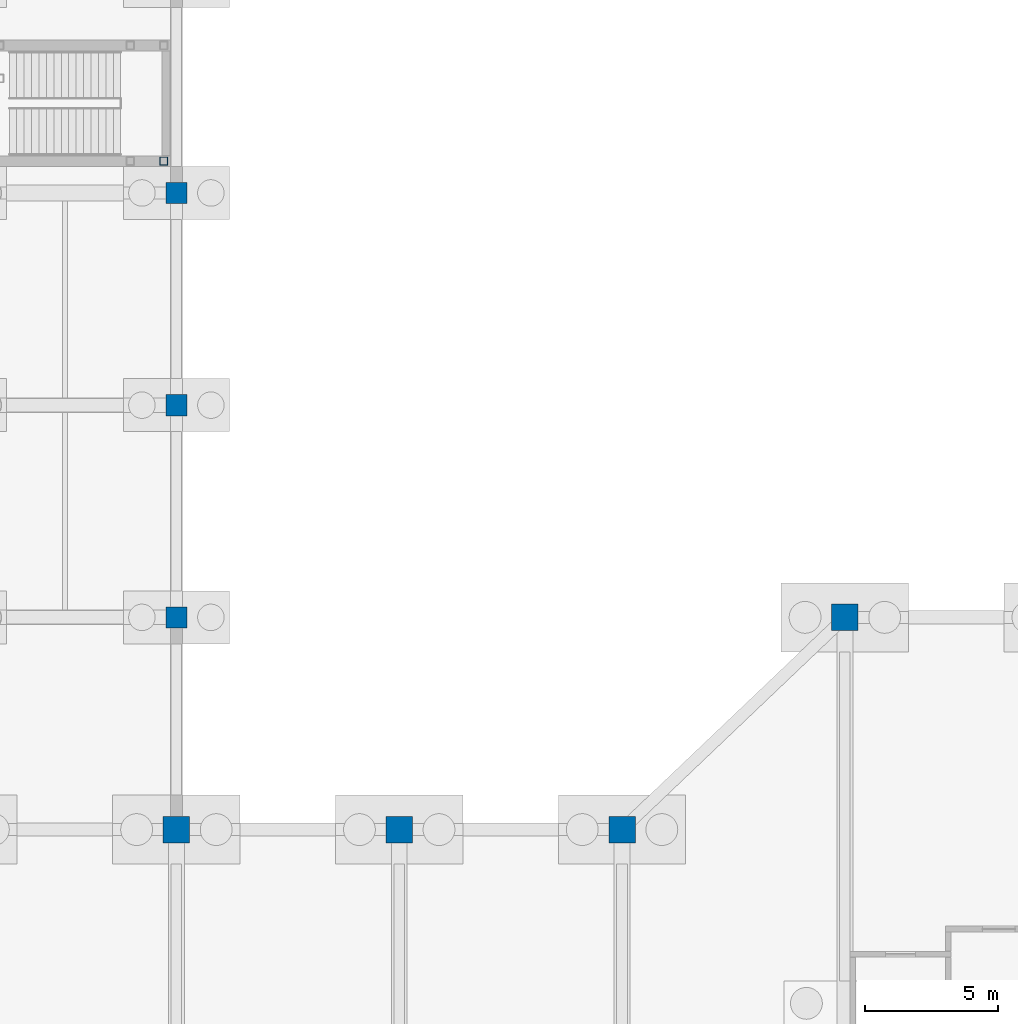
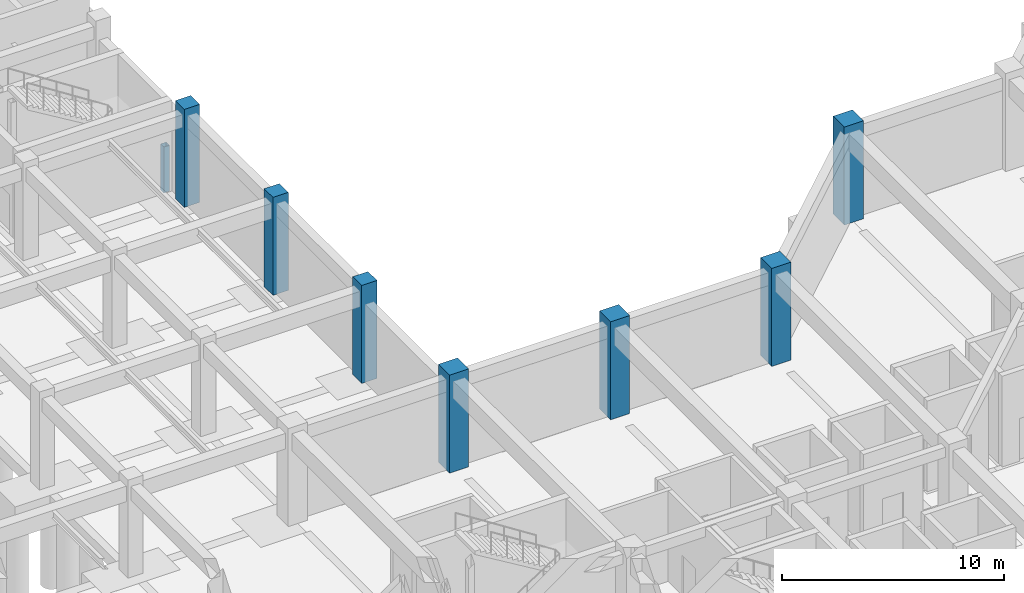
# One storey, part 27 of 56: 8 columns.
"""IFC4 building model written with IfcOpenShell, lengths in metres."""

from ifc_helpers import new_model, si_unit, direction, frame, origin, origin_2d, place, context, subcontext, project, spatial, rectangle, hollow_rectangle, extrude, material, material_profile, profile_set, type_object, element, save


model = new_model("IFC4")

# Units and contexts
model_context = context("Model", 3, precision=1e-05, world=origin(), true_north=direction((0.0, 1.0)))
body_context = subcontext(model_context, "Body", "Model", "MODEL_VIEW")
ifc_project = project(units=[si_unit("LENGTHUNIT", "METRE"), si_unit("AREAUNIT", "SQUARE_METRE"), si_unit("VOLUMEUNIT", "CUBIC_METRE"), si_unit("PLANEANGLEUNIT", "RADIAN"), si_unit("MASSUNIT", "GRAM", prefix="KILO")], contexts=[model_context])

# Site, building, storey
site_placement = place(None, origin())
site = spatial("IfcSite", under=ifc_project, at=site_placement, CompositionType="ELEMENT")
building_placement = place(site_placement, origin())
building = spatial("IfcBuilding", under=site, at=building_placement, Name="Naruveol Harbour Congress Hotel", CompositionType="ELEMENT")
storey_placement = place(building_placement, frame((0.0, 0.0, -5.39990234375)))
storey = spatial("IfcBuildingStorey", under=building, at=storey_placement, Name="B01", CompositionType="ELEMENT", Elevation=-5.39990234375)

# Columns
ifc_material_1 = material(Name="Concrete C50/60", Category="concrete")
ifc_material_profile_1 = material_profile(ifc_material_1, rectangle(XDim=0.800048828125, YDim=0.800048828125, at=origin_2d()), Name="RC-800x800")
ifc_profile_set_1 = profile_set([ifc_material_profile_1], Name="Concrete C50/60")
column_type_1 = type_object("IfcColumnType", Name="RC PODIUM COLUMN 800X800", PredefinedType="COLUMN", material=ifc_profile_set_1)
for number, where, z_axis, x_axis, name in (
    (1, (126.0, 40.0, 0.0), (0.0, 0.0, 1.0), (1.0, 0.0, 0.0), "Column C-800 B01 (126.0,40.0)"),
    (2, (126.0, 48.0, 0.0), (0.0, 0.0, 1.0), (1.0, 0.0, 0.0), "Column C-800 B01 (126.0,48.0)"),
    (3, (126.0, 56.0, 0.0), (0.0, 0.0, 1.0), (1.0, 0.0, 0.0), "Column C-800 B01 (126.0,56.0)"),
):
    element("IfcColumn", number, at=place(storey_placement, frame(where, z_axis=z_axis, x_axis=x_axis)), inside=storey, type_object=column_type_1, Name=name, PredefinedType="COLUMN", context=body_context, shape_type="SweptSolid", body=[
        extrude(rectangle(XDim=0.800048828125, YDim=0.800048828125, at=origin_2d()), origin(), (0.0, 0.0, 1.0), 5.39990234375),
    ])
ifc_material_2 = material(Name="Concrete C50/60", Category="concrete")
ifc_material_profile_2 = material_profile(ifc_material_2, rectangle(XDim=1.0, YDim=1.0, at=origin_2d()), Name="RC-1000x1000")
ifc_profile_set_2 = profile_set([ifc_material_profile_2], Name="Concrete C50/60")
column_type_2 = type_object("IfcColumnType", Name="RC PRIMARY COLUMN 1000X1000", PredefinedType="COLUMN", material=ifc_profile_set_2)
for number, where, z_axis, x_axis, name in (
    (4, (126.0, 32.0, 0.0), (0.0, 0.0, 1.0), (1.0, 0.0, 0.0), "Column C-1000 B01 (126.0,32.0)"),
    (5, (134.39990234375, 32.0, 0.0), (0.0, 0.0, 1.0), (1.0, 0.0, 0.0), "Column C-1000 B01 (134.4,32.0)"),
    (6, (142.800048828125, 32.0, 0.0), (0.0, 0.0, 1.0), (1.0, 0.0, 0.0), "Column C-1000 B01 (142.8,32.0)"),
    (7, (151.199951171875, 40.0, 0.0), (0.0, 0.0, 1.0), (1.0, 0.0, 0.0), "Column C-1000 B01 (151.2,40.0)"),
):
    element("IfcColumn", number, at=place(storey_placement, frame(where, z_axis=z_axis, x_axis=x_axis)), inside=storey, type_object=column_type_2, Name=name, PredefinedType="COLUMN", context=body_context, shape_type="SweptSolid", body=[
        extrude(rectangle(XDim=1.0, YDim=1.0, at=origin_2d()), origin(), (0.0, 0.0, 1.0), 5.39990234375),
    ])
ifc_material_3 = material(Name="Steel SN490", Category="steel")
ifc_material_profile_3 = material_profile(ifc_material_3, hollow_rectangle(XDim=0.300048828125, YDim=0.300048828125, WallThickness=0.011962890625, at=origin_2d()), Name="SHS-300x300x12")
ifc_profile_set_3 = profile_set([ifc_material_profile_3], Name="Steel SN490")
column_type_3 = type_object("IfcColumnType", Name="STEEL COLONNADE POST SHS300", PredefinedType="COLUMN", material=ifc_profile_set_3)
column_placement = place(storey_placement, frame((125.52001953125, 57.199951171875, 0.0), z_axis=(0.0, 0.0, 1.0), x_axis=(1.0, 0.0, 0.0)))
element("IfcColumn", 8, at=column_placement, inside=storey, type_object=column_type_3, Name="Stair landing support post ST9E #449", PredefinedType="COLUMN", context=body_context, shape_type="SweptSolid", body=[
    extrude(hollow_rectangle(XDim=0.300048828125, YDim=0.300048828125, WallThickness=0.011962890625, at=origin_2d()), origin(), (0.0, 0.0, 1.0), 2.52001953125),
])

save(model, "model.ifc")
